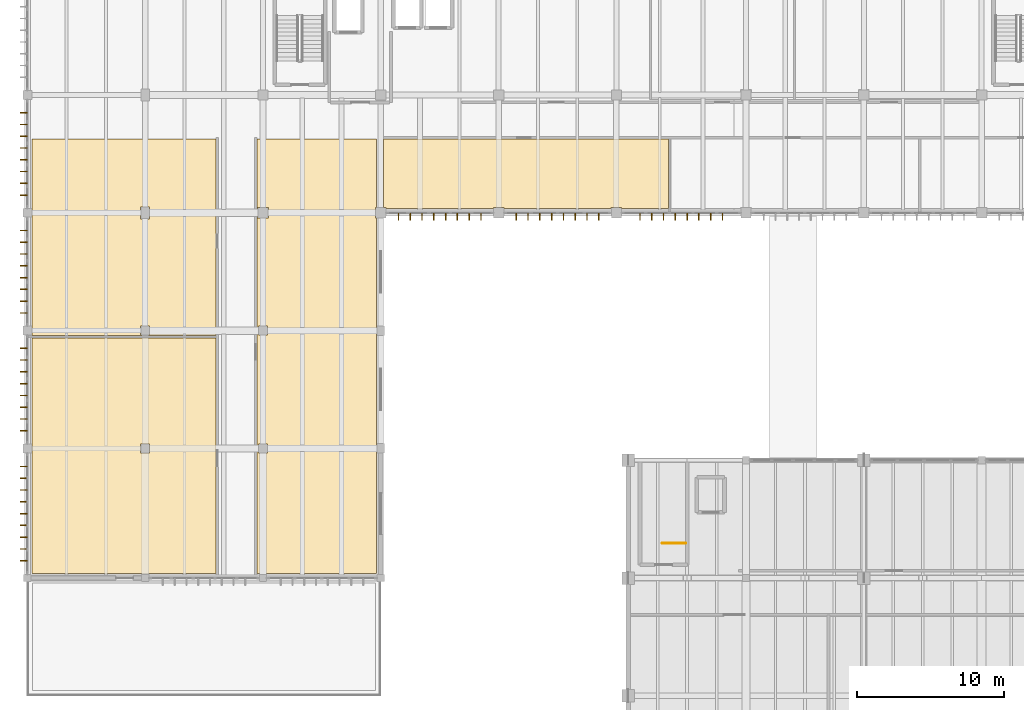
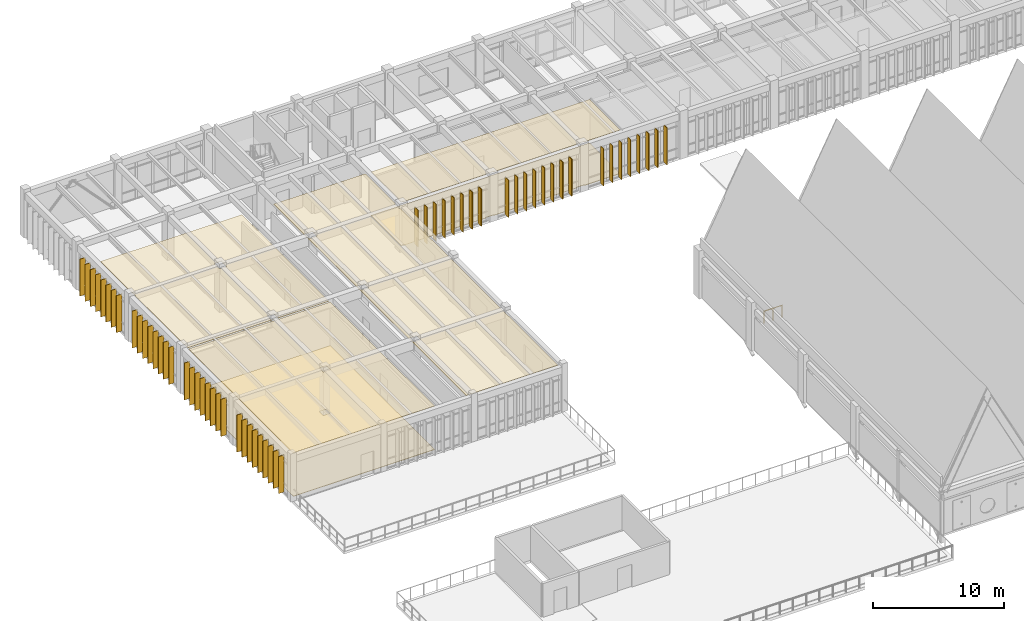
# One storey, part 61 of 72: 57 shading devices, 6 coverings, 1 railing.
"""IFC4 building model written with IfcOpenShell, lengths in metres."""

import ifcopenshell
import ifcopenshell.guid

model = None  # the IFC model being written
_history = None  # IfcOwnerHistory: only IFC2X3 demands one
_inside = {}  # id of a spatial element -> (the spatial element, [elements in it])
_under = {}  # id of a project, library or spatial element -> (it, [spatial elements below it])
_declared = {}  # id of a project -> (the project, [libraries it declares])
_typed = {}  # id of a type object -> (the type object, [elements of that type])
_made_of = {}  # id of a material, layer set ... -> (it, [elements and type objects made of it])


def new_model(schema):
    """Start an empty IFC model of exactly this schema.

    Asked for "IFC4X3", IfcOpenShell would pick the latest addendum, in which some entities
    have other attributes; the version numbers below select the first issue.
    IFC2X3 requires an IfcOwnerHistory on every rooted entity: one is made here for all.
    """
    global model, _history
    if schema == "IFC4X3":
        model = ifcopenshell.file(schema_version=(4, 3, 0, 0))
    else:
        model = ifcopenshell.file(schema=schema)
    _inside.clear()
    _under.clear()
    _declared.clear()
    _typed.clear()
    _made_of.clear()
    _history = None
    if model.schema == "IFC2X3":
        org = make("IfcOrganization", Name="unknown")
        user = make(
            "IfcPersonAndOrganization",
            ThePerson=make("IfcPerson", FamilyName="unknown"),
            TheOrganization=org,
        )
        app = make(
            "IfcApplication",
            ApplicationDeveloper=org,
            Version="unknown",
            ApplicationFullName="unknown",
            ApplicationIdentifier="unknown",
        )
        _history = make(
            "IfcOwnerHistory",
            OwningUser=user,
            OwningApplication=app,
            ChangeAction="ADDED",
            CreationDate=0,
        )
    return model


def make(cls, **values):
    """One entity of the class cls with the attributes given. An attribute that is None is left unset."""
    return model.create_entity(
        cls, **{name: value for name, value in values.items() if value is not None}
    )


def rooted(cls, **values):
    """An entity with a GlobalId (a new one), such as an element, a storey or a relation."""
    return make(cls, GlobalId=ifcopenshell.guid.new(), OwnerHistory=_history, **values)


def si_unit(unit_type, name, prefix=None):
    """IfcSIUnit, for example si_unit("LENGTHUNIT", "METRE", prefix="MILLI")."""
    return make("IfcSIUnit", UnitType=unit_type, Prefix=prefix, Name=name)


def assignment(units):
    """IfcUnitAssignment: the units of a project."""
    return None if units is None else make("IfcUnitAssignment", Units=units)


def point(xyz):
    """IfcCartesianPoint."""
    return None if xyz is None else make("IfcCartesianPoint", Coordinates=xyz)


def direction(xyz):
    """IfcDirection."""
    return None if xyz is None else make("IfcDirection", DirectionRatios=xyz)


def frame(location, z_axis=None, x_axis=None):
    """IfcAxis2Placement3D, a coordinate frame: its origin and axes. An axis left out is left unset."""
    return make(
        "IfcAxis2Placement3D",
        Location=point(location),
        Axis=direction(z_axis),
        RefDirection=direction(x_axis),
    )


def frame_2d(location, x_axis=None):
    """IfcAxis2Placement2D, a coordinate frame in the plane: its origin and x axis."""
    return make(
        "IfcAxis2Placement2D", Location=point(location), RefDirection=direction(x_axis)
    )


def origin():
    """The frame at (0, 0, 0) with its axes left unset."""
    return frame((0.0, 0.0, 0.0))


def origin_2d():
    """The frame at (0, 0) in the plane with its x axis left unset."""
    return frame_2d((0.0, 0.0))


def place(relative_to, where):
    """IfcLocalPlacement: puts the frame where relative to a parent placement (None: the world)."""
    return make(
        "IfcLocalPlacement", PlacementRelTo=relative_to, RelativePlacement=where
    )


def context(
    kind, dimensions, precision=None, world=None, true_north=None, identifier=None
):
    """IfcGeometricRepresentationContext, for example the 3D "Model" context."""
    return make(
        "IfcGeometricRepresentationContext",
        ContextIdentifier=identifier,
        ContextType=kind,
        CoordinateSpaceDimension=dimensions,
        Precision=precision,
        WorldCoordinateSystem=world,
        TrueNorth=true_north,
    )


def subcontext(parent, identifier, kind, view, scale=None):
    """IfcGeometricRepresentationSubContext, for example "Body" below "Model"."""
    return make(
        "IfcGeometricRepresentationSubContext",
        ContextIdentifier=identifier,
        ContextType=kind,
        ParentContext=parent,
        TargetScale=scale,
        TargetView=view,
    )


def project(units=None, contexts=None):
    """IfcProject with its units and contexts."""
    return rooted(
        "IfcProject",
        Name="project",
        RepresentationContexts=contexts,
        UnitsInContext=assignment(units),
    )


def spatial(cls, under=None, at=None, **own):
    """A site, building, storey or space (cls), placed at a placement, below another one or the project."""
    s = rooted(cls, ObjectPlacement=at, **own)
    if under is not None:
        _under.setdefault(under.id(), (under, []))[1].append(s)
    return s


def polyline(points):
    """IfcPolyline through the points."""
    return make("IfcPolyline", Points=[point(p) for p in points])


def profile(cls, at=None, kind="AREA", **sizes):
    """A parametric profile (cls). Its sizes go by their IFC names, for example OverallWidth=200.0."""
    return make(cls, ProfileType=kind, Position=at, **sizes)


def rectangle(**sizes):
    """IfcRectangleProfileDef."""
    return profile("IfcRectangleProfileDef", **sizes)


def circle(**sizes):
    """IfcCircleProfileDef."""
    return profile("IfcCircleProfileDef", **sizes)


def outline(outer, holes=None, kind="AREA"):
    """IfcArbitraryClosedProfileDef: a profile drawn as a closed curve; with holes, ...WithVoids."""
    if holes is None:
        return make("IfcArbitraryClosedProfileDef", ProfileType=kind, OuterCurve=outer)
    return make(
        "IfcArbitraryProfileDefWithVoids",
        ProfileType=kind,
        OuterCurve=outer,
        InnerCurves=holes,
    )


def extrude(swept, where, along, depth):
    """IfcExtrudedAreaSolid: the profile swept, set in the frame where, extruded along a direction by depth."""
    return make(
        "IfcExtrudedAreaSolid",
        SweptArea=swept,
        Position=where,
        ExtrudedDirection=direction(along),
        Depth=depth,
    )


def shape(context_of_items, identifier, shape_type, items):
    """IfcShapeRepresentation: the items that make up one representation, for example the "Body"."""
    return make(
        "IfcShapeRepresentation",
        ContextOfItems=context_of_items,
        RepresentationIdentifier=identifier,
        RepresentationType=shape_type,
        Items=items,
    )


def material(Name=None, Category=None):
    """IfcMaterial."""
    return make("IfcMaterial", Name=Name, Category=Category)


def layer(
    of_material, thickness, ventilated=None, Name=None, Category=None, Priority=None
):
    """IfcMaterialLayer: one layer of a wall or slab, of a material (None: an air gap)."""
    return make(
        "IfcMaterialLayer",
        Material=of_material,
        LayerThickness=thickness,
        IsVentilated=ventilated,
        Name=Name,
        Category=Category,
        Priority=Priority,
    )


def layer_set(layers, Name=None):
    """IfcMaterialLayerSet."""
    return make("IfcMaterialLayerSet", MaterialLayers=layers, LayerSetName=Name)


def made_of(thing, what):
    """Note that an element or type object is made of a material, layer set ...; save() writes the relation."""
    if what is not None:
        _made_of.setdefault(what.id(), (what, []))[1].append(thing)
    return thing


def type_object(cls, material=None, **own):
    """A type object (cls), such as IfcWallType, which elements share."""
    return made_of(rooted(cls, **own), material)


def element(
    cls,
    number,
    at=None,
    inside=None,
    cuts=None,
    type_object=None,
    material=None,
    context=None,
    identifier="Body",
    shape_type=None,
    held_by="IfcProductDefinitionShape",
    body=None,
    shapes=None,
    **own,
):
    """One element of the class cls, such as IfcWall. Its Tag is "e" and its number.

    at: its placement. inside: the storey or other place that contains it. cuts: it is an
    opening in that element (IfcRelVoidsElement). A single representation is given by context,
    identifier, shape_type and body (its items); several are given by shapes. held_by: the class
    of the entity that holds the representations. save() writes the other relations.
    """
    e = rooted(cls, Tag="e%d" % number, ObjectPlacement=at, **own)
    if body is not None:
        shapes = [shape(context, identifier, shape_type, body)]
    if shapes is not None:
        e.Representation = make(held_by, Representations=shapes)
    if inside is not None:
        _inside.setdefault(inside.id(), (inside, []))[1].append(e)
    if cuts is not None:
        rooted(
            "IfcRelVoidsElement", RelatingBuildingElement=cuts, RelatedOpeningElement=e
        )
    if type_object is not None:
        _typed.setdefault(type_object.id(), (type_object, []))[1].append(e)
    return made_of(e, material)


def aggregate(whole, parts):
    """IfcRelAggregates: a whole, such as a stair, and the parts it consists of."""
    return rooted("IfcRelAggregates", RelatingObject=whole, RelatedObjects=parts)


def save(model, path):
    """Write the relations noted so far, then the file.

    IfcRelAggregates (storeys below a building ...), IfcRelContainedInSpatialStructure (elements
    in a storey), IfcRelDefinesByType, IfcRelAssociatesMaterial and IfcRelDeclares: one each for
    every whole, place, type object, material and project.
    """
    for whole, parts in _under.values():
        aggregate(whole, parts)
    for where, things in _inside.values():
        rooted(
            "IfcRelContainedInSpatialStructure",
            RelatedElements=things,
            RelatingStructure=where,
        )
    for kind, things in _typed.values():
        rooted("IfcRelDefinesByType", RelatedObjects=things, RelatingType=kind)
    for what, things in _made_of.values():
        rooted("IfcRelAssociatesMaterial", RelatedObjects=things, RelatingMaterial=what)
    for by, libraries in _declared.values():
        rooted("IfcRelDeclares", RelatingContext=by, RelatedDefinitions=libraries)
    model.write(path)


model = new_model("IFC4")

# Units and contexts
model_context = context("Model", 3, precision=1e-05, world=origin(), true_north=direction((0.0, 1.0)))
body_context = subcontext(model_context, "Body", "Model", "MODEL_VIEW")
ifc_project = project(units=[si_unit("LENGTHUNIT", "METRE"), si_unit("AREAUNIT", "SQUARE_METRE"), si_unit("VOLUMEUNIT", "CUBIC_METRE"), si_unit("PLANEANGLEUNIT", "RADIAN"), si_unit("MASSUNIT", "GRAM", prefix="KILO")], contexts=[model_context])

# Site, building, storey
site_placement = place(None, origin())
site = spatial("IfcSite", under=ifc_project, at=site_placement, CompositionType="ELEMENT")
building_placement = place(site_placement, origin())
building = spatial("IfcBuilding", under=site, at=building_placement, Name="Tlaxcora Railside Police Headquarters", CompositionType="ELEMENT")
storey_placement = place(building_placement, frame((0.0, 0.0, 13.5)))
storey = spatial("IfcBuildingStorey", under=building, at=storey_placement, Name="L03", CompositionType="ELEMENT", Elevation=13.5)

# Coverings
ifc_material_1 = material(Name="Mineral-fibre acoustic ceiling tile")
ifc_layer_1 = layer(ifc_material_1, 0.034912109375, Name="Mineral-fibre acoustic ceiling tile")
ifc_layer_set_1 = layer_set([ifc_layer_1], Name="Mineral-fibre acoustic ceiling tile")
covering_type_1 = type_object("IfcCoveringType", Name="Acoustic Suspended Ceiling CLG-01", PredefinedType="CEILING", material=ifc_layer_set_1)
covering_1_placement = place(storey_placement, frame((0.0, 0.0, 4.06494140625)))
element("IfcCovering", 1, at=covering_1_placement, inside=storey, type_object=covering_type_1, Name="Cybercrime and Dark-Web Investigation Lab suspended ceiling", PredefinedType="CEILING", context=body_context, shape_type="SweptSolid", body=[
    extrude(outline(polyline([(48.73095703125, 77.10009765625), (48.73095703125, 81.800048828125), (29.39990234375, 81.800048828125), (29.39990234375, 77.159912109375), (29.56005859375, 77.159912109375), (29.56005859375, 77.10009765625), (36.840087890625, 77.10009765625), (36.840087890625, 77.159912109375), (37.56005859375, 77.159912109375), (37.56005859375, 77.10009765625), (44.840087890625, 77.10009765625), (44.840087890625, 77.159912109375), (45.56005859375, 77.159912109375), (45.56005859375, 77.10009765625), (48.73095703125, 77.10009765625)])), origin(), (0.0, 0.0, 1.0), 0.03515625),
])
covering_2_placement = place(storey_placement, frame((0.0, 0.0, 4.06494140625)))
element("IfcCovering", 2, at=covering_2_placement, inside=storey, type_object=covering_type_1, Name="Electronic Fraud Squad Office suspended ceiling", PredefinedType="CEILING", context=body_context, shape_type="SweptSolid", body=[
    extrude(outline(polyline([(18.0, 68.31103515625), (5.5, 68.31103515625), (5.5, 61.110107421875), (5.510009765625, 61.110107421875), (5.510009765625, 60.489990234375), (5.5, 60.489990234375), (5.5, 52.300048828125), (18.0, 52.300048828125), (18.0, 68.31103515625)]), holes=[polyline([(13.510009765625, 60.489990234375), (12.889892578125, 60.489990234375), (12.889892578125, 61.110107421875), (13.510009765625, 61.110107421875), (13.510009765625, 60.489990234375)])]), origin(), (0.0, 0.0, 1.0), 0.03515625),
])
covering_3_placement = place(storey_placement, frame((0.0, 0.0, 4.06494140625)))
element("IfcCovering", 3, at=covering_3_placement, inside=storey, type_object=covering_type_1, Name="Analyst Collaboration Room suspended ceiling", PredefinedType="CEILING", context=body_context, shape_type="SweptSolid", body=[
    extrude(outline(polyline([(5.5, 68.470947265625), (18.0, 68.470947265625), (18.0, 81.800048828125), (5.5, 81.800048828125), (5.5, 77.110107421875), (5.510009765625, 77.110107421875), (5.510009765625, 76.489990234375), (5.5, 76.489990234375), (5.5, 69.110107421875), (5.510009765625, 69.110107421875), (5.510009765625, 68.489990234375), (5.5, 68.489990234375), (5.5, 68.470947265625)]), holes=[polyline([(13.510009765625, 69.110107421875), (13.510009765625, 68.489990234375), (12.889892578125, 68.489990234375), (12.889892578125, 69.110107421875), (13.510009765625, 69.110107421875)]), polyline([(13.510009765625, 76.389892578125), (12.889892578125, 76.389892578125), (12.889892578125, 77.2099609375), (13.510009765625, 77.2099609375), (13.510009765625, 76.389892578125)])]), origin(), (0.0, 0.0, 1.0), 0.03515625),
])
covering_4_placement = place(storey_placement, frame((0.0, 0.0, 4.06494140625)))
element("IfcCovering", 4, at=covering_4_placement, inside=storey, type_object=covering_type_1, Name="Court-Side Case Team Room L03 suspended ceiling", PredefinedType="CEILING", context=body_context, shape_type="SweptSolid", body=[
    extrude(outline(polyline([(20.800048828125, 52.300048828125), (28.89990234375, 52.300048828125), (28.89990234375, 76.43994140625), (28.840087890625, 76.43994140625), (28.840087890625, 77.159912109375), (28.89990234375, 77.159912109375), (28.89990234375, 81.800048828125), (20.800048828125, 81.800048828125), (20.800048828125, 52.300048828125)]), holes=[polyline([(20.889892578125, 60.489990234375), (20.889892578125, 61.110107421875), (21.510009765625, 61.110107421875), (21.510009765625, 60.489990234375), (20.889892578125, 60.489990234375)]), polyline([(20.889892578125, 69.110107421875), (21.510009765625, 69.110107421875), (21.510009765625, 68.489990234375), (20.889892578125, 68.489990234375), (20.889892578125, 69.110107421875)]), polyline([(21.56005859375, 77.159912109375), (21.56005859375, 76.43994140625), (20.840087890625, 76.43994140625), (20.840087890625, 77.159912109375), (21.56005859375, 77.159912109375)])]), origin(), (0.0, 0.0, 1.0), 0.03515625),
])

# Shading devices
ifc_material_2 = material(Name="Anodised aluminium framing", Category="aluminium")
ifc_layer_2 = layer(ifc_material_2, 0.054931640625, Name="Anodised aluminium framing")
ifc_layer_set_2 = layer_set([ifc_layer_2], Name="Anodised aluminium framing")
shading_device_type = type_object("IfcShadingDeviceType", Name="Solar Control Fin SF-01", PredefinedType="JALOUSIE", material=ifc_layer_set_2)
for number, where, z_axis, x_axis, name in (
    (5, (30.39990234375, 76.5400390625, 0.0400390625), (0.0, 0.0, 1.0), (0.0, -1.0, 0.0), "Vertical solar fin 283"),
    (6, (31.199951171875, 76.5400390625, 0.0400390625), (0.0, 0.0, 1.0), (0.0, -1.0, 0.0), "Vertical solar fin 284"),
    (7, (32.0, 76.5400390625, 0.0400390625), (0.0, 0.0, 1.0), (0.0, -1.0, 0.0), "Vertical solar fin 285"),
    (8, (32.800048828125, 76.5400390625, 0.0400390625), (0.0, 0.0, 1.0), (0.0, -1.0, 0.0), "Vertical solar fin 286"),
    (9, (33.60009765625, 76.5400390625, 0.0400390625), (0.0, 0.0, 1.0), (0.0, -1.0, 0.0), "Vertical solar fin 287"),
    (10, (34.39990234375, 76.5400390625, 0.0400390625), (0.0, 0.0, 1.0), (0.0, -1.0, 0.0), "Vertical solar fin 288"),
    (11, (35.199951171875, 76.5400390625, 0.0400390625), (0.0, 0.0, 1.0), (0.0, -1.0, 0.0), "Vertical solar fin 289"),
    (12, (36.0, 76.5400390625, 0.0400390625), (0.0, 0.0, 1.0), (0.0, -1.0, 0.0), "Vertical solar fin 290"),
    (13, (38.39990234375, 76.5400390625, 0.0400390625), (0.0, 0.0, 1.0), (0.0, -1.0, 0.0), "Vertical solar fin 291"),
    (14, (39.199951171875, 76.5400390625, 0.0400390625), (0.0, 0.0, 1.0), (0.0, -1.0, 0.0), "Vertical solar fin 292"),
    (15, (40.0, 76.5400390625, 0.0400390625), (0.0, 0.0, 1.0), (0.0, -1.0, 0.0), "Vertical solar fin 293"),
    (16, (40.800048828125, 76.5400390625, 0.0400390625), (0.0, 0.0, 1.0), (0.0, -1.0, 0.0), "Vertical solar fin 294"),
    (17, (41.60009765625, 76.5400390625, 0.0400390625), (0.0, 0.0, 1.0), (0.0, -1.0, 0.0), "Vertical solar fin 295"),
    (18, (42.39990234375, 76.5400390625, 0.0400390625), (0.0, 0.0, 1.0), (0.0, -1.0, 0.0), "Vertical solar fin 296"),
    (19, (43.199951171875, 76.5400390625, 0.0400390625), (0.0, 0.0, 1.0), (0.0, -1.0, 0.0), "Vertical solar fin 297"),
    (20, (44.0, 76.5400390625, 0.0400390625), (0.0, 0.0, 1.0), (0.0, -1.0, 0.0), "Vertical solar fin 298"),
    (21, (46.800048828125, 76.5400390625, 0.0400390625), (0.0, 0.0, 1.0), (0.0, -1.0, 0.0), "Vertical solar fin 299"),
    (22, (47.60009765625, 76.5400390625, 0.0400390625), (0.0, 0.0, 1.0), (0.0, -1.0, 0.0), "Vertical solar fin 300"),
    (23, (48.39990234375, 76.5400390625, 0.0400390625), (0.0, 0.0, 1.0), (0.0, -1.0, 0.0), "Vertical solar fin 301"),
    (24, (49.199951171875, 76.5400390625, 0.0400390625), (0.0, 0.0, 1.0), (0.0, -1.0, 0.0), "Vertical solar fin 302"),
    (25, (50.0, 76.5400390625, 0.0400390625), (0.0, 0.0, 1.0), (0.0, -1.0, 0.0), "Vertical solar fin 303"),
    (26, (50.800048828125, 76.5400390625, 0.0400390625), (0.0, 0.0, 1.0), (0.0, -1.0, 0.0), "Vertical solar fin 304"),
    (27, (51.60009765625, 76.5400390625, 0.0400390625), (0.0, 0.0, 1.0), (0.0, -1.0, 0.0), "Vertical solar fin 305"),
    (28, (52.39990234375, 76.5400390625, 0.0400390625), (0.0, 0.0, 1.0), (0.0, -1.0, 0.0), "Vertical solar fin 306"),
    (29, (4.93994140625, 83.60009765625, 0.0400390625), (0.0, 0.0, 1.0), (-1.0, 0.0, 0.0), "Vertical solar fin 355"),
    (30, (4.93994140625, 82.800048828125, 0.0400390625), (0.0, 0.0, 1.0), (-1.0, 0.0, 0.0), "Vertical solar fin 356"),
    (31, (4.93994140625, 82.0, 0.0400390625), (0.0, 0.0, 1.0), (-1.0, 0.0, 0.0), "Vertical solar fin 357"),
    (32, (4.93994140625, 81.199951171875, 0.0400390625), (0.0, 0.0, 1.0), (-1.0, 0.0, 0.0), "Vertical solar fin 358"),
    (33, (4.93994140625, 80.39990234375, 0.0400390625), (0.0, 0.0, 1.0), (-1.0, 0.0, 0.0), "Vertical solar fin 359"),
    (34, (4.93994140625, 79.60009765625, 0.0400390625), (0.0, 0.0, 1.0), (-1.0, 0.0, 0.0), "Vertical solar fin 360"),
    (35, (4.93994140625, 78.800048828125, 0.0400390625), (0.0, 0.0, 1.0), (-1.0, 0.0, 0.0), "Vertical solar fin 361"),
    (36, (4.93994140625, 78.0, 0.0400390625), (0.0, 0.0, 1.0), (-1.0, 0.0, 0.0), "Vertical solar fin 362"),
    (37, (4.93994140625, 75.60009765625, 0.0400390625), (0.0, 0.0, 1.0), (-1.0, 0.0, 0.0), "Vertical solar fin 363"),
    (38, (4.93994140625, 74.800048828125, 0.0400390625), (0.0, 0.0, 1.0), (-1.0, 0.0, 0.0), "Vertical solar fin 364"),
    (39, (4.93994140625, 74.0, 0.0400390625), (0.0, 0.0, 1.0), (-1.0, 0.0, 0.0), "Vertical solar fin 365"),
    (40, (4.93994140625, 73.199951171875, 0.0400390625), (0.0, 0.0, 1.0), (-1.0, 0.0, 0.0), "Vertical solar fin 366"),
    (41, (4.93994140625, 72.39990234375, 0.0400390625), (0.0, 0.0, 1.0), (-1.0, 0.0, 0.0), "Vertical solar fin 367"),
    (42, (4.93994140625, 71.60009765625, 0.0400390625), (0.0, 0.0, 1.0), (-1.0, 0.0, 0.0), "Vertical solar fin 368"),
    (43, (4.93994140625, 70.800048828125, 0.0400390625), (0.0, 0.0, 1.0), (-1.0, 0.0, 0.0), "Vertical solar fin 369"),
    (44, (4.93994140625, 70.0, 0.0400390625), (0.0, 0.0, 1.0), (-1.0, 0.0, 0.0), "Vertical solar fin 370"),
    (45, (4.93994140625, 67.60009765625, 0.0400390625), (0.0, 0.0, 1.0), (-1.0, 0.0, 0.0), "Vertical solar fin 371"),
    (46, (4.93994140625, 66.800048828125, 0.0400390625), (0.0, 0.0, 1.0), (-1.0, 0.0, 0.0), "Vertical solar fin 372"),
    (47, (4.93994140625, 66.0, 0.0400390625), (0.0, 0.0, 1.0), (-1.0, 0.0, 0.0), "Vertical solar fin 373"),
    (48, (4.93994140625, 65.199951171875, 0.0400390625), (0.0, 0.0, 1.0), (-1.0, 0.0, 0.0), "Vertical solar fin 374"),
    (49, (4.93994140625, 64.39990234375, 0.0400390625), (0.0, 0.0, 1.0), (-1.0, 0.0, 0.0), "Vertical solar fin 375"),
    (50, (4.93994140625, 63.60009765625, 0.0400390625), (0.0, 0.0, 1.0), (-1.0, 0.0, 0.0), "Vertical solar fin 376"),
    (51, (4.93994140625, 62.800048828125, 0.0400390625), (0.0, 0.0, 1.0), (-1.0, 0.0, 0.0), "Vertical solar fin 377"),
    (52, (4.93994140625, 62.0, 0.0400390625), (0.0, 0.0, 1.0), (-1.0, 0.0, 0.0), "Vertical solar fin 378"),
    (53, (4.93994140625, 59.574951171875, 0.0400390625), (0.0, 0.0, 1.0), (-1.0, 0.0, 0.0), "Vertical solar fin 379"),
    (54, (4.93994140625, 58.77490234375, 0.0400390625), (0.0, 0.0, 1.0), (-1.0, 0.0, 0.0), "Vertical solar fin 380"),
    (55, (4.93994140625, 57.97509765625, 0.0400390625), (0.0, 0.0, 1.0), (-1.0, 0.0, 0.0), "Vertical solar fin 381"),
    (56, (4.93994140625, 57.175048828125, 0.0400390625), (0.0, 0.0, 1.0), (-1.0, 0.0, 0.0), "Vertical solar fin 382"),
    (57, (4.93994140625, 56.375, 0.0400390625), (0.0, 0.0, 1.0), (-1.0, 0.0, 0.0), "Vertical solar fin 383"),
    (58, (4.93994140625, 55.574951171875, 0.0400390625), (0.0, 0.0, 1.0), (-1.0, 0.0, 0.0), "Vertical solar fin 384"),
    (59, (4.93994140625, 54.77490234375, 0.0400390625), (0.0, 0.0, 1.0), (-1.0, 0.0, 0.0), "Vertical solar fin 385"),
    (60, (4.93994140625, 53.97509765625, 0.0400390625), (0.0, 0.0, 1.0), (-1.0, 0.0, 0.0), "Vertical solar fin 386"),
    (61, (4.93994140625, 53.175048828125, 0.0400390625), (0.0, 0.0, 1.0), (-1.0, 0.0, 0.0), "Vertical solar fin 387"),
):
    element("IfcShadingDevice", number, at=place(storey_placement, frame(where, z_axis=z_axis, x_axis=x_axis)), inside=storey, type_object=shading_device_type, Name=name, PredefinedType="JALOUSIE", context=body_context, shape_type="SweptSolid", body=[
        extrude(rectangle(XDim=0.47998046875, YDim=0.054931640625, at=origin_2d()), origin(), (0.0, 0.0, 1.0), 3.4599609375),
    ])

# Railing
ifc_material_3 = material(Name="Steel ASTM A992 Grade 50", Category="steel")
railing_type = type_object("IfcRailingType", Name="Stair Well Guard Balustrade GR-02", PredefinedType="BALUSTRADE", material=ifc_material_3)
railing_placement = place(storey_placement, frame((49.909912109375, 54.360107421875, 0.0)))
element("IfcRailing", 62, at=railing_placement, inside=storey, type_object=railing_type, Name="L03 ST4 top well guard 1", PredefinedType="BALUSTRADE", context=body_context, shape_type="SweptSolid", body=[
    extrude(circle(Radius=0.02392578125, at=origin_2d()), frame((0.0, 0.0, 1.09619140625), z_axis=(-1.0, 0.0, 0.0), x_axis=(0.0, -1.0, 0.0)), (0.0, 0.0, 1.0), 1.599853515625),
    extrude(circle(Radius=0.02099609375, at=origin_2d()), origin(), (0.0, 0.0, 1.0), 1.072021484375),
    extrude(circle(Radius=0.02099609375, at=origin_2d()), frame((-0.7998046875, 0.0, 0.0)), (0.0, 0.0, 1.0), 1.072021484375),
    extrude(circle(Radius=0.02099609375, at=origin_2d()), frame((-1.599853515625, 0.0, 0.0)), (0.0, 0.0, 1.0), 1.072021484375),
])

# Coverings
ifc_material_4 = material(Name="Heavy-duty resin and raised-access technical flooring")
ifc_layer_3 = layer(ifc_material_4, 0.0400390625, Name="Heavy-duty resin and raised-access technical flooring")
ifc_layer_set_3 = layer_set([ifc_layer_3], Name="Heavy-duty resin and raised-access technical flooring")
covering_type_2 = type_object("IfcCoveringType", Name="Technical Raised Access Flooring FLR-01", PredefinedType="FLOORING", material=ifc_layer_set_3)
covering_5_placement = place(storey_placement, origin())
element("IfcCovering", 63, at=covering_5_placement, inside=storey, type_object=covering_type_2, Name="Cybercrime and Dark-Web Investigation Lab technical floor finish", PredefinedType="FLOORING", context=body_context, shape_type="SweptSolid", body=[
    extrude(outline(polyline([(48.73095703125, 77.10009765625), (48.73095703125, 81.800048828125), (29.39990234375, 81.800048828125), (29.39990234375, 77.159912109375), (29.56005859375, 77.159912109375), (29.56005859375, 77.10009765625), (36.840087890625, 77.10009765625), (36.840087890625, 77.159912109375), (37.56005859375, 77.159912109375), (37.56005859375, 77.10009765625), (44.840087890625, 77.10009765625), (44.840087890625, 77.159912109375), (45.56005859375, 77.159912109375), (45.56005859375, 77.10009765625), (48.73095703125, 77.10009765625)])), origin(), (0.0, 0.0, 1.0), 0.0400390625),
])
covering_6_placement = place(storey_placement, origin())
element("IfcCovering", 64, at=covering_6_placement, inside=storey, type_object=covering_type_2, Name="Electronic Fraud Squad Office technical floor finish", PredefinedType="FLOORING", context=body_context, shape_type="SweptSolid", body=[
    extrude(outline(polyline([(18.0, 68.31103515625), (5.5, 68.31103515625), (5.5, 61.110107421875), (5.510009765625, 61.110107421875), (5.510009765625, 60.489990234375), (5.5, 60.489990234375), (5.5, 52.300048828125), (18.0, 52.300048828125), (18.0, 68.31103515625)]), holes=[polyline([(13.510009765625, 60.489990234375), (12.889892578125, 60.489990234375), (12.889892578125, 61.110107421875), (13.510009765625, 61.110107421875), (13.510009765625, 60.489990234375)])]), origin(), (0.0, 0.0, 1.0), 0.0400390625),
])

save(model, "model.ifc")
